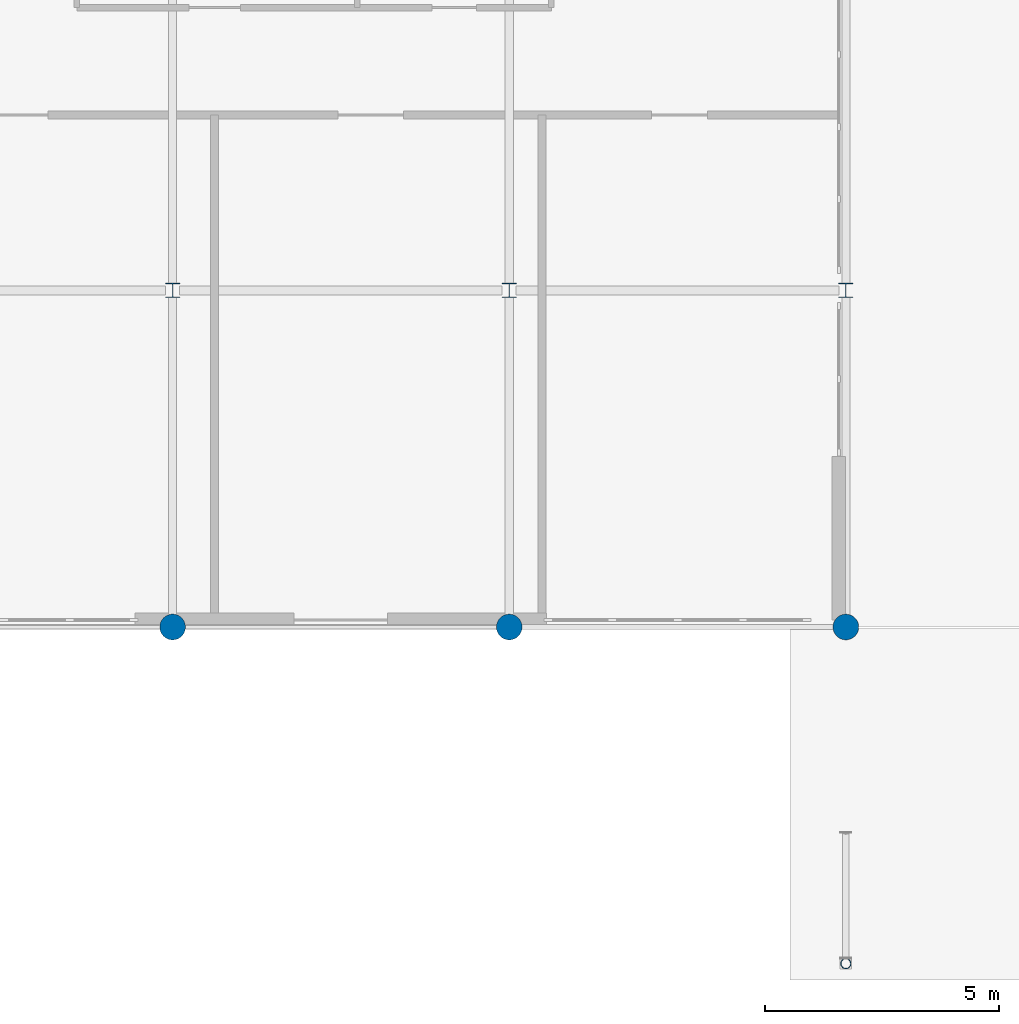
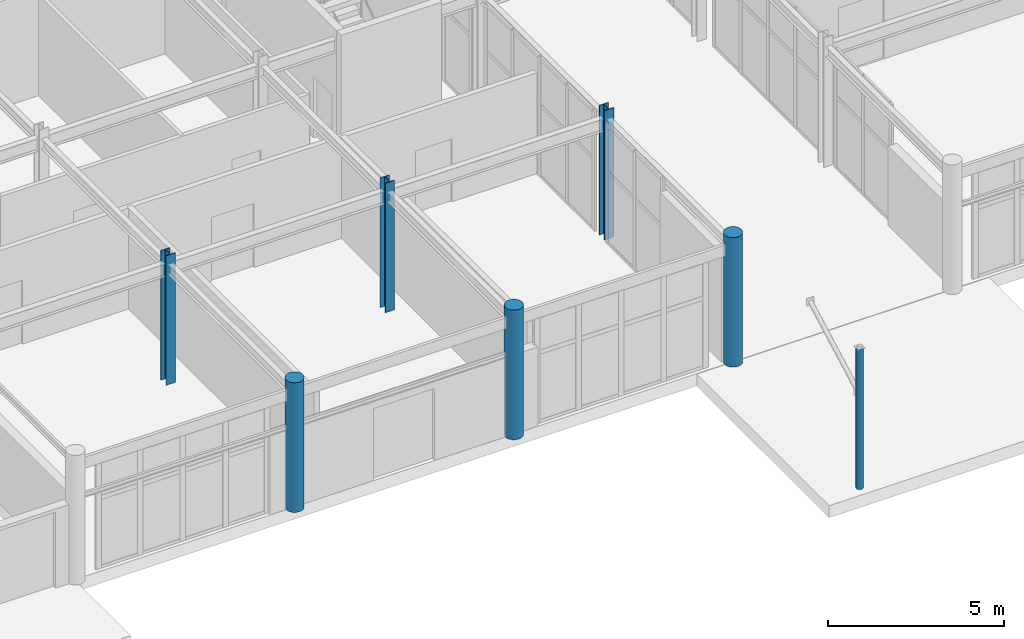
# One storey, part 5 of 85: 7 columns.
"""IFC4 building model written with IfcOpenShell, lengths in metres."""

from ifc_helpers import new_model, si_unit, direction, frame, origin, origin_2d, place, context, subcontext, project, spatial, circle, hollow_circle, i_section, extrude, material, material_profile, profile_set, type_object, element, save


model = new_model("IFC4")

# Units and contexts
model_context = context("Model", 3, precision=1e-05, world=origin(), true_north=direction((0.0, 1.0)))
body_context = subcontext(model_context, "Body", "Model", "MODEL_VIEW")
ifc_project = project(units=[si_unit("LENGTHUNIT", "METRE"), si_unit("AREAUNIT", "SQUARE_METRE"), si_unit("VOLUMEUNIT", "CUBIC_METRE"), si_unit("PLANEANGLEUNIT", "RADIAN"), si_unit("MASSUNIT", "GRAM", prefix="KILO")], contexts=[model_context])

# Site, building, storey
site_placement = place(None, origin())
site = spatial("IfcSite", under=ifc_project, at=site_placement, CompositionType="ELEMENT")
building_placement = place(site_placement, origin())
building = spatial("IfcBuilding", under=site, at=building_placement, Name="Ochrevale Crest", CompositionType="ELEMENT")
storey_placement = place(building_placement, origin())
storey = spatial("IfcBuildingStorey", under=building, at=storey_placement, Name="L00", CompositionType="ELEMENT", Elevation=0.0)

# Columns
ifc_material_1 = material(Name="Steel S355", Category="steel")
ifc_material_profile_1 = material_profile(ifc_material_1, hollow_circle(Radius=0.109619140625, WallThickness=0.00830078125, at=origin_2d()), Name="219.1x8.2CHS")
ifc_profile_set_1 = profile_set([ifc_material_profile_1], Name="Steel S355")
column_type_1 = type_object("IfcColumnType", Name="COL-CHS219", PredefinedType="COLUMN", material=ifc_profile_set_1)
column_placement = place(storey_placement, frame((79.199951171875, 0.0, 0.0), z_axis=(0.0, 0.0, 1.0), x_axis=(1.0, 0.0, 0.0)))
element("IfcColumn", 1, at=column_placement, inside=storey, type_object=column_type_1, Name="Parabolic entrance canopy south boulevard CHS column", PredefinedType="COLUMN", context=body_context, shape_type="SweptSolid", body=[
    extrude(hollow_circle(Radius=0.109619140625, WallThickness=0.00830078125, at=origin_2d()), origin(), (0.0, 0.0, 1.0), 4.860107421875),
])
ifc_material_2 = material(Name="Precast concrete C50/60", Category="concrete")
ifc_material_profile_2 = material_profile(ifc_material_2, circle(Radius=0.27490234375, at=origin_2d()), Name="RC D550")
ifc_profile_set_2 = profile_set([ifc_material_profile_2], Name="Precast concrete C50/60")
column_type_2 = type_object("IfcColumnType", Name="COL-RCD550", PredefinedType="COLUMN", material=ifc_profile_set_2)
for number, where, z_axis, x_axis, name in (
    (2, (64.800048828125, 7.199951171875, 0.0), (0.0, 0.0, 1.0), (1.0, 0.0, 0.0), "Retail arcade L00 column (64.8,7.2)"),
    (3, (72.0, 7.199951171875, 0.0), (0.0, 0.0, 1.0), (1.0, 0.0, 0.0), "Retail arcade L00 column (72.0,7.2)"),
    (4, (79.199951171875, 7.199951171875, 0.0), (0.0, 0.0, 1.0), (1.0, 0.0, 0.0), "Retail arcade L00 column (79.2,7.2)"),
):
    element("IfcColumn", number, at=place(storey_placement, frame(where, z_axis=z_axis, x_axis=x_axis)), inside=storey, type_object=column_type_2, Name=name, PredefinedType="COLUMN", context=body_context, shape_type="SweptSolid", body=[
        extrude(circle(Radius=0.27490234375, at=origin_2d()), origin(), (0.0, 0.0, 1.0), 4.5),
    ])
ifc_material_profile_3 = material_profile(ifc_material_1, i_section(OverallWidth=0.306884765625, OverallDepth=0.314697265625, WebThickness=0.011962890625, FlangeThickness=0.018798828125, FilletRadius=0.0166015625, at=origin_2d()), Name="310UC118")
ifc_profile_set_3 = profile_set([ifc_material_profile_3], Name="Steel S355")
column_type_3 = type_object("IfcColumnType", Name="COL-UC310B", PredefinedType="COLUMN", material=ifc_profile_set_3)
for number, where, z_axis, x_axis, name in (
    (5, (64.800048828125, 14.39990234375, 0.0), (0.0, 0.0, 1.0), (1.0, 0.0, 0.0), "Retail arcade L00 column (64.8,14.4)"),
    (6, (72.0, 14.39990234375, 0.0), (0.0, 0.0, 1.0), (1.0, 0.0, 0.0), "Retail arcade L00 column (72.0,14.4)"),
    (7, (79.199951171875, 14.39990234375, 0.0), (0.0, 0.0, 1.0), (1.0, 0.0, 0.0), "Retail arcade L00 column (79.2,14.4)"),
):
    element("IfcColumn", number, at=place(storey_placement, frame(where, z_axis=z_axis, x_axis=x_axis)), inside=storey, type_object=column_type_3, Name=name, PredefinedType="COLUMN", context=body_context, shape_type="SweptSolid", body=[
        extrude(i_section(OverallWidth=0.306884765625, OverallDepth=0.314697265625, WebThickness=0.011962890625, FlangeThickness=0.018798828125, FilletRadius=0.0166015625, at=origin_2d()), origin(), (0.0, 0.0, 1.0), 4.5),
    ])

save(model, "model.ifc")
